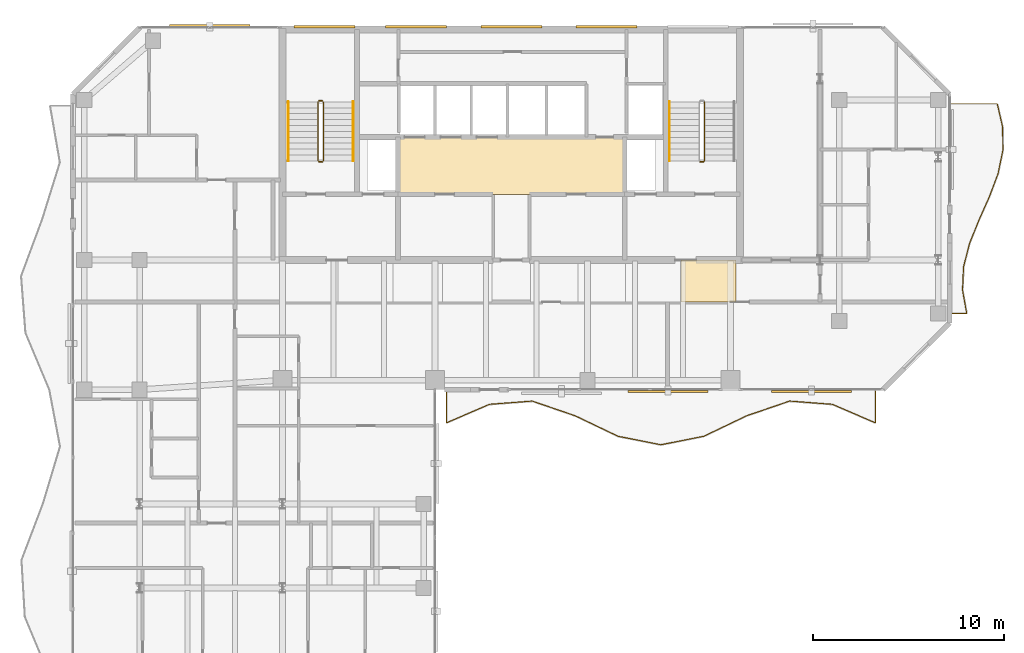
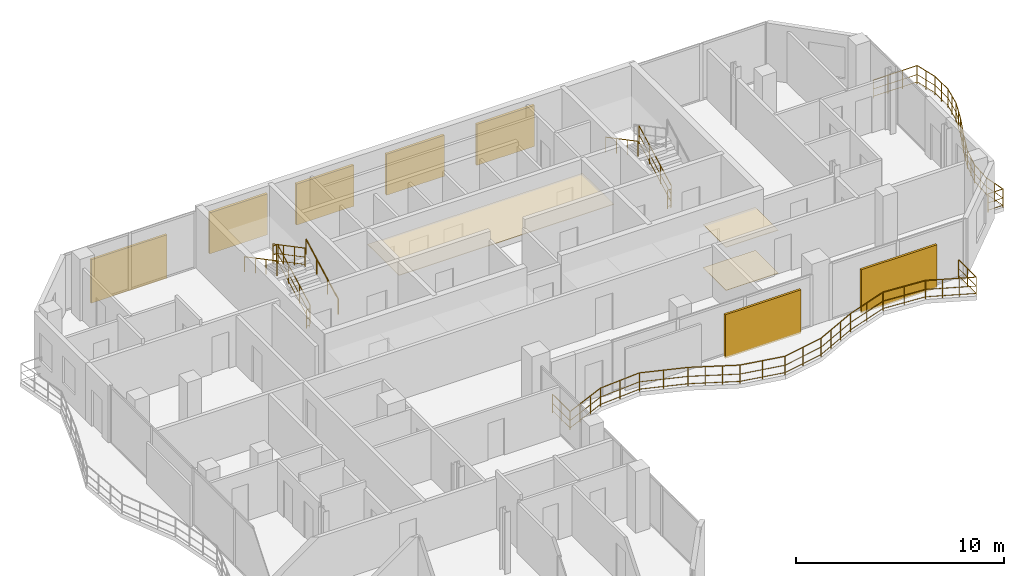
# One storey, part 22 of 23: 11 railings, 7 shading devices, 3 coverings.
"""IFC4 building model written with IfcOpenShell, lengths in metres."""

from ifc_helpers import new_model, si_unit, direction, frame, origin, origin_2d, place, context, subcontext, project, spatial, polyline, rectangle, circle, outline, extrude, material, layer, layer_set, type_object, element, save


model = new_model("IFC4")

# Units and contexts
model_context = context("Model", 3, precision=1e-05, world=origin(), true_north=direction((0.0, 1.0)))
body_context = subcontext(model_context, "Body", "Model", "MODEL_VIEW")
ifc_project = project(units=[si_unit("LENGTHUNIT", "METRE"), si_unit("AREAUNIT", "SQUARE_METRE"), si_unit("VOLUMEUNIT", "CUBIC_METRE"), si_unit("PLANEANGLEUNIT", "RADIAN"), si_unit("MASSUNIT", "GRAM", prefix="KILO")], contexts=[model_context])

# Site, building, storey
site_placement = place(None, origin())
site = spatial("IfcSite", under=ifc_project, at=site_placement, CompositionType="ELEMENT")
building_placement = place(site_placement, origin())
building = spatial("IfcBuilding", under=site, at=building_placement, Name="Catumbela Crestline Tower", CompositionType="ELEMENT")
storey_placement = place(building_placement, frame((0.0, 0.0, 172.2)))
storey = spatial("IfcBuildingStorey", under=building, at=storey_placement, Name="L44", CompositionType="ELEMENT", Elevation=172.2)

# Coverings
ifc_material_1 = material(Name="Mineral-fibre acoustic ceiling")
ifc_layer_1 = layer(ifc_material_1, 0.03, Name="Mineral-fibre acoustic ceiling")
ifc_layer_set_1 = layer_set([ifc_layer_1], Name="Mineral-fibre acoustic ceiling")
covering_type_1 = type_object("IfcCoveringType", Name="CC-AC", PredefinedType="CEILING", material=ifc_layer_set_1)
covering_1_placement = place(storey_placement, frame((0.0, 0.0, 2.65)))
element("IfcCovering", 1, at=covering_1_placement, inside=storey, type_object=covering_type_1, Name="L44 Lift Lobby Acoustic Ceiling", PredefinedType="CEILING", context=body_context, shape_type="SweptSolid", body=[
    extrude(outline(polyline([(22.05, 34.25), (33.95, 34.25), (33.95, 37.25), (22.05, 37.25), (22.05, 34.25)])), origin(), (0.0, 0.0, 1.0), 0.03),
])
covering_2_placement = place(storey_placement, frame((0.0, 0.0, 2.52)))
element("IfcCovering", 2, at=covering_2_placement, inside=storey, type_object=covering_type_1, Name="L44 Corridor Acoustic Ceiling Bay 8", PredefinedType="CEILING", context=body_context, shape_type="SweptSolid", body=[
    extrude(outline(polyline([(36.9, 28.6), (39.8, 28.6), (39.8, 30.8), (36.9, 30.8), (36.9, 28.6)])), origin(), (0.0, 0.0, 1.0), 0.03),
])
ifc_material_2 = material(Name="Angolan grey-ochre granite", Category="masonry")
ifc_layer_2 = layer(ifc_material_2, 0.025, Name="Angolan grey-ochre granite")
ifc_layer_set_2 = layer_set([ifc_layer_2], Name="Angolan grey-ochre granite")
covering_type_2 = type_object("IfcCoveringType", Name="CF-GR", PredefinedType="FLOORING", material=ifc_layer_set_2)
covering_3_placement = place(storey_placement, origin())
element("IfcCovering", 3, at=covering_3_placement, inside=storey, type_object=covering_type_2, Name="L44 Corridor Granite Flooring Bay 8", PredefinedType="FLOORING", context=body_context, shape_type="SweptSolid", body=[
    extrude(outline(polyline([(36.9, 28.6), (39.8, 28.6), (39.8, 30.8), (36.9, 30.8), (36.9, 28.6)])), origin(), (0.0, 0.0, 1.0), 0.025),
])

# Railings
ifc_material_3 = material(Name="Stainless steel EN 1.4401", Category="steel")
railing_type_1 = type_object("IfcRailingType", Name="RB-1100", PredefinedType="BALUSTRADE", material=ifc_material_3)
railing_1_placement = place(storey_placement, frame((24.6, 23.94, 0.0)))
element("IfcRailing", 4, at=railing_1_placement, inside=storey, type_object=railing_type_1, Name="L44 Private Wave Balcony Balustrade 1", PredefinedType="BALUSTRADE", context=body_context, shape_type="SweptSolid", body=[
    extrude(circle(Radius=0.024, at=origin_2d()), frame((0.0, 0.0, 1.076), z_axis=(0.0, -1.0, 0.0), x_axis=(1.0, 0.0, 0.0)), (0.0, 0.0, 1.0), 1.68),
    extrude(circle(Radius=0.0156, at=origin_2d()), frame((0.0, 0.0, 0.55), z_axis=(0.0, -1.0, 0.0), x_axis=(1.0, 0.0, 0.0)), (0.0, 0.0, 1.0), 1.68),
    extrude(circle(Radius=0.0156, at=origin_2d()), frame((0.0, 0.0, 0.12), z_axis=(0.0, -1.0, 0.0), x_axis=(1.0, 0.0, 0.0)), (0.0, 0.0, 1.0), 1.68),
    extrude(circle(Radius=0.024, at=origin_2d()), frame((0.0, -1.68, 1.076), z_axis=(0.918179780553, 0.396163969316, 0.0), x_axis=(-0.396163969316, 0.918179780553, 0.0)), (0.0, 0.0, 1.0), 2.4505),
    extrude(circle(Radius=0.0156, at=origin_2d()), frame((0.0, -1.68, 0.55), z_axis=(0.918179780553, 0.396163969316, 0.0), x_axis=(-0.396163969316, 0.918179780553, 0.0)), (0.0, 0.0, 1.0), 2.4505),
    extrude(circle(Radius=0.0156, at=origin_2d()), frame((0.0, -1.68, 0.12), z_axis=(0.918179780553, 0.396163969316, 0.0), x_axis=(-0.396163969316, 0.918179780553, 0.0)), (0.0, 0.0, 1.0), 2.4505),
    extrude(circle(Radius=0.024, at=origin_2d()), frame((2.25, -0.7092, 1.076), z_axis=(0.997141170455, 0.075561142028, 0.0), x_axis=(-0.075561142028, 0.997141170455, 0.0)), (0.0, 0.0, 1.0), 2.2565),
    extrude(circle(Radius=0.0156, at=origin_2d()), frame((2.25, -0.7092, 0.55), z_axis=(0.997141170455, 0.075561142028, 0.0), x_axis=(-0.075561142028, 0.997141170455, 0.0)), (0.0, 0.0, 1.0), 2.2565),
    extrude(circle(Radius=0.0156, at=origin_2d()), frame((2.25, -0.7092, 0.12), z_axis=(0.997141170455, 0.075561142028, 0.0), x_axis=(-0.075561142028, 0.997141170455, 0.0)), (0.0, 0.0, 1.0), 2.2565),
    extrude(circle(Radius=0.024, at=origin_2d()), frame((4.5, -0.5387, 1.076), z_axis=(0.946065665735, -0.323974931311, 0.0), x_axis=(0.323974931311, 0.946065665735, 0.0)), (0.0, 0.0, 1.0), 2.3783),
    extrude(circle(Radius=0.0156, at=origin_2d()), frame((4.5, -0.5387, 0.55), z_axis=(0.946065665735, -0.323974931311, 0.0), x_axis=(0.323974931311, 0.946065665735, 0.0)), (0.0, 0.0, 1.0), 2.3783),
    extrude(circle(Radius=0.0156, at=origin_2d()), frame((4.5, -0.5387, 0.12), z_axis=(0.946065665735, -0.323974931311, 0.0), x_axis=(0.323974931311, 0.946065665735, 0.0)), (0.0, 0.0, 1.0), 2.3783),
    extrude(circle(Radius=0.024, at=origin_2d()), frame((6.75, -1.3092, 1.076), z_axis=(0.902132186045, -0.431459753513, 0.0), x_axis=(0.431459753513, 0.902132186045, 0.0)), (0.0, 0.0, 1.0), 2.4941),
    extrude(circle(Radius=0.0156, at=origin_2d()), frame((6.75, -1.3092, 0.55), z_axis=(0.902132186045, -0.431459753513, 0.0), x_axis=(0.431459753513, 0.902132186045, 0.0)), (0.0, 0.0, 1.0), 2.4941),
    extrude(circle(Radius=0.0156, at=origin_2d()), frame((6.75, -1.3092, 0.12), z_axis=(0.902132186045, -0.431459753513, 0.0), x_axis=(0.431459753513, 0.902132186045, 0.0)), (0.0, 0.0, 1.0), 2.4941),
    extrude(circle(Radius=0.024, at=origin_2d()), frame((9.0, -2.3853, 1.076), z_axis=(0.981022553047, -0.193893657484, 0.0), x_axis=(0.193893657484, 0.981022553047, 0.0)), (0.0, 0.0, 1.0), 2.2935),
    extrude(circle(Radius=0.0156, at=origin_2d()), frame((9.0, -2.3853, 0.55), z_axis=(0.981022553047, -0.193893657484, 0.0), x_axis=(0.193893657484, 0.981022553047, 0.0)), (0.0, 0.0, 1.0), 2.2935),
    extrude(circle(Radius=0.0156, at=origin_2d()), frame((9.0, -2.3853, 0.12), z_axis=(0.981022553047, -0.193893657484, 0.0), x_axis=(0.193893657484, 0.981022553047, 0.0)), (0.0, 0.0, 1.0), 2.2935),
    extrude(circle(Radius=0.024, at=origin_2d()), frame((11.25, -2.83, 1.076), z_axis=(0.981022553047, 0.193893657484, 0.0), x_axis=(-0.193893657484, 0.981022553047, 0.0)), (0.0, 0.0, 1.0), 2.2935),
    extrude(circle(Radius=0.0156, at=origin_2d()), frame((11.25, -2.83, 0.55), z_axis=(0.981022553047, 0.193893657484, 0.0), x_axis=(-0.193893657484, 0.981022553047, 0.0)), (0.0, 0.0, 1.0), 2.2935),
    extrude(circle(Radius=0.0156, at=origin_2d()), frame((11.25, -2.83, 0.12), z_axis=(0.981022553047, 0.193893657484, 0.0), x_axis=(-0.193893657484, 0.981022553047, 0.0)), (0.0, 0.0, 1.0), 2.2935),
    extrude(circle(Radius=0.024, at=origin_2d()), frame((13.5, -2.3853, 1.076), z_axis=(0.902132186045, 0.431459753513, 0.0), x_axis=(-0.431459753513, 0.902132186045, 0.0)), (0.0, 0.0, 1.0), 2.4941),
    extrude(circle(Radius=0.0156, at=origin_2d()), frame((13.5, -2.3853, 0.55), z_axis=(0.902132186045, 0.431459753513, 0.0), x_axis=(-0.431459753513, 0.902132186045, 0.0)), (0.0, 0.0, 1.0), 2.4941),
    extrude(circle(Radius=0.0156, at=origin_2d()), frame((13.5, -2.3853, 0.12), z_axis=(0.902132186045, 0.431459753513, 0.0), x_axis=(-0.431459753513, 0.902132186045, 0.0)), (0.0, 0.0, 1.0), 2.4941),
    extrude(circle(Radius=0.024, at=origin_2d()), frame((15.75, -1.3092, 1.076), z_axis=(0.946065665735, 0.323974931311, 0.0), x_axis=(-0.323974931311, 0.946065665735, 0.0)), (0.0, 0.0, 1.0), 2.3783),
    extrude(circle(Radius=0.0156, at=origin_2d()), frame((15.75, -1.3092, 0.55), z_axis=(0.946065665735, 0.323974931311, 0.0), x_axis=(-0.323974931311, 0.946065665735, 0.0)), (0.0, 0.0, 1.0), 2.3783),
    extrude(circle(Radius=0.0156, at=origin_2d()), frame((15.75, -1.3092, 0.12), z_axis=(0.946065665735, 0.323974931311, 0.0), x_axis=(-0.323974931311, 0.946065665735, 0.0)), (0.0, 0.0, 1.0), 2.3783),
    extrude(circle(Radius=0.024, at=origin_2d()), frame((18.0, -0.5387, 1.076), z_axis=(0.997141170455, -0.075561142028, 0.0), x_axis=(0.075561142028, 0.997141170455, 0.0)), (0.0, 0.0, 1.0), 2.2565),
    extrude(circle(Radius=0.0156, at=origin_2d()), frame((18.0, -0.5387, 0.55), z_axis=(0.997141170455, -0.075561142028, 0.0), x_axis=(0.075561142028, 0.997141170455, 0.0)), (0.0, 0.0, 1.0), 2.2565),
    extrude(circle(Radius=0.0156, at=origin_2d()), frame((18.0, -0.5387, 0.12), z_axis=(0.997141170455, -0.075561142028, 0.0), x_axis=(0.075561142028, 0.997141170455, 0.0)), (0.0, 0.0, 1.0), 2.2565),
    extrude(circle(Radius=0.024, at=origin_2d()), frame((20.25, -0.7092, 1.076), z_axis=(0.918179780553, -0.396163969316, 0.0), x_axis=(0.396163969316, 0.918179780553, 0.0)), (0.0, 0.0, 1.0), 2.4505),
    extrude(circle(Radius=0.0156, at=origin_2d()), frame((20.25, -0.7092, 0.55), z_axis=(0.918179780553, -0.396163969316, 0.0), x_axis=(0.396163969316, 0.918179780553, 0.0)), (0.0, 0.0, 1.0), 2.4505),
    extrude(circle(Radius=0.0156, at=origin_2d()), frame((20.25, -0.7092, 0.12), z_axis=(0.918179780553, -0.396163969316, 0.0), x_axis=(0.396163969316, 0.918179780553, 0.0)), (0.0, 0.0, 1.0), 2.4505),
    extrude(circle(Radius=0.024, at=origin_2d()), frame((22.5, -1.68, 1.076), z_axis=(0.0, 1.0, 0.0), x_axis=(-1.0, 0.0, 0.0)), (0.0, 0.0, 1.0), 1.68),
    extrude(circle(Radius=0.0156, at=origin_2d()), frame((22.5, -1.68, 0.55), z_axis=(0.0, 1.0, 0.0), x_axis=(-1.0, 0.0, 0.0)), (0.0, 0.0, 1.0), 1.68),
    extrude(circle(Radius=0.0156, at=origin_2d()), frame((22.5, -1.68, 0.12), z_axis=(0.0, 1.0, 0.0), x_axis=(-1.0, 0.0, 0.0)), (0.0, 0.0, 1.0), 1.68),
    extrude(circle(Radius=0.021, at=origin_2d()), origin(), (0.0, 0.0, 1.0), 1.052),
    extrude(circle(Radius=0.021, at=origin_2d()), frame((0.0, -0.84, 0.0)), (0.0, 0.0, 1.0), 1.052),
    extrude(circle(Radius=0.021, at=origin_2d()), frame((0.0, -1.68, 0.0)), (0.0, 0.0, 1.0), 1.052),
    extrude(circle(Radius=0.021, at=origin_2d()), frame((0.75, -1.3564, 0.0)), (0.0, 0.0, 1.0), 1.052),
    extrude(circle(Radius=0.021, at=origin_2d()), frame((1.5, -1.0328, 0.0)), (0.0, 0.0, 1.0), 1.052),
    extrude(circle(Radius=0.021, at=origin_2d()), frame((2.25, -0.7092, 0.0)), (0.0, 0.0, 1.0), 1.052),
    extrude(circle(Radius=0.021, at=origin_2d()), frame((3.375, -0.624, 0.0)), (0.0, 0.0, 1.0), 1.052),
    extrude(circle(Radius=0.021, at=origin_2d()), frame((4.5, -0.5387, 0.0)), (0.0, 0.0, 1.0), 1.052),
    extrude(circle(Radius=0.021, at=origin_2d()), frame((5.625, -0.924, 0.0)), (0.0, 0.0, 1.0), 1.052),
    extrude(circle(Radius=0.021, at=origin_2d()), frame((6.75, -1.3092, 0.0)), (0.0, 0.0, 1.0), 1.052),
    extrude(circle(Radius=0.021, at=origin_2d()), frame((7.5, -1.6679, 0.0)), (0.0, 0.0, 1.0), 1.052),
    extrude(circle(Radius=0.021, at=origin_2d()), frame((8.25, -2.0266, 0.0)), (0.0, 0.0, 1.0), 1.052),
    extrude(circle(Radius=0.021, at=origin_2d()), frame((9.0, -2.3853, 0.0)), (0.0, 0.0, 1.0), 1.052),
    extrude(circle(Radius=0.021, at=origin_2d()), frame((10.125, -2.6077, 0.0)), (0.0, 0.0, 1.0), 1.052),
    extrude(circle(Radius=0.021, at=origin_2d()), frame((11.25, -2.83, 0.0)), (0.0, 0.0, 1.0), 1.052),
    extrude(circle(Radius=0.021, at=origin_2d()), frame((12.375, -2.6077, 0.0)), (0.0, 0.0, 1.0), 1.052),
    extrude(circle(Radius=0.021, at=origin_2d()), frame((13.5, -2.3853, 0.0)), (0.0, 0.0, 1.0), 1.052),
    extrude(circle(Radius=0.021, at=origin_2d()), frame((14.25, -2.0266, 0.0)), (0.0, 0.0, 1.0), 1.052),
    extrude(circle(Radius=0.021, at=origin_2d()), frame((15.0, -1.6679, 0.0)), (0.0, 0.0, 1.0), 1.052),
    extrude(circle(Radius=0.021, at=origin_2d()), frame((15.75, -1.3092, 0.0)), (0.0, 0.0, 1.0), 1.052),
    extrude(circle(Radius=0.021, at=origin_2d()), frame((16.875, -0.924, 0.0)), (0.0, 0.0, 1.0), 1.052),
    extrude(circle(Radius=0.021, at=origin_2d()), frame((18.0, -0.5387, 0.0)), (0.0, 0.0, 1.0), 1.052),
    extrude(circle(Radius=0.021, at=origin_2d()), frame((19.125, -0.624, 0.0)), (0.0, 0.0, 1.0), 1.052),
    extrude(circle(Radius=0.021, at=origin_2d()), frame((20.25, -0.7092, 0.0)), (0.0, 0.0, 1.0), 1.052),
    extrude(circle(Radius=0.021, at=origin_2d()), frame((21.0, -1.0328, 0.0)), (0.0, 0.0, 1.0), 1.052),
    extrude(circle(Radius=0.021, at=origin_2d()), frame((21.75, -1.3564, 0.0)), (0.0, 0.0, 1.0), 1.052),
    extrude(circle(Radius=0.021, at=origin_2d()), frame((22.5, -1.68, 0.0)), (0.0, 0.0, 1.0), 1.052),
    extrude(circle(Radius=0.021, at=origin_2d()), frame((22.5, -0.84, 0.0)), (0.0, 0.0, 1.0), 1.052),
    extrude(circle(Radius=0.021, at=origin_2d()), frame((22.5, 0.0, 0.0)), (0.0, 0.0, 1.0), 1.052),
])
railing_2_placement = place(storey_placement, frame((51.06, 28.0, 0.0)))
element("IfcRailing", 5, at=railing_2_placement, inside=storey, type_object=railing_type_1, Name="L44 Private Wave Balcony Balustrade 2", PredefinedType="BALUSTRADE", context=body_context, shape_type="SweptSolid", body=[
    extrude(circle(Radius=0.024, at=origin_2d()), frame((0.0, 0.0, 1.076), z_axis=(1.0, 0.0, 0.0), x_axis=(0.0, 1.0, 0.0)), (0.0, 0.0, 1.0), 0.834),
    extrude(circle(Radius=0.0156, at=origin_2d()), frame((0.0, 0.0, 0.55), z_axis=(1.0, 0.0, 0.0), x_axis=(0.0, 1.0, 0.0)), (0.0, 0.0, 1.0), 0.834),
    extrude(circle(Radius=0.0156, at=origin_2d()), frame((0.0, 0.0, 0.12), z_axis=(1.0, 0.0, 0.0), x_axis=(0.0, 1.0, 0.0)), (0.0, 0.0, 1.0), 0.834),
    extrude(circle(Radius=0.024, at=origin_2d()), frame((0.834, 0.0, 1.076), z_axis=(-0.17746808462, 0.984126556364, 0.0), x_axis=(-0.984126556364, -0.17746808462, 0.0)), (0.0, 0.0, 1.0), 1.2419),
    extrude(circle(Radius=0.0156, at=origin_2d()), frame((0.834, 0.0, 0.55), z_axis=(-0.17746808462, 0.984126556364, 0.0), x_axis=(-0.984126556364, -0.17746808462, 0.0)), (0.0, 0.0, 1.0), 1.2419),
    extrude(circle(Radius=0.0156, at=origin_2d()), frame((0.834, 0.0, 0.12), z_axis=(-0.17746808462, 0.984126556364, 0.0), x_axis=(-0.984126556364, -0.17746808462, 0.0)), (0.0, 0.0, 1.0), 1.2419),
    extrude(circle(Radius=0.024, at=origin_2d()), frame((0.6136, 1.2222, 1.076), z_axis=(0.0433237094, 0.999061087323, 0.0), x_axis=(-0.999061087323, 0.0433237094, 0.0)), (0.0, 0.0, 1.0), 1.2233),
    extrude(circle(Radius=0.0156, at=origin_2d()), frame((0.6136, 1.2222, 0.55), z_axis=(0.0433237094, 0.999061087323, 0.0), x_axis=(-0.999061087323, 0.0433237094, 0.0)), (0.0, 0.0, 1.0), 1.2233),
    extrude(circle(Radius=0.0156, at=origin_2d()), frame((0.6136, 1.2222, 0.12), z_axis=(0.0433237094, 0.999061087323, 0.0), x_axis=(-0.999061087323, 0.0433237094, 0.0)), (0.0, 0.0, 1.0), 1.2233),
    extrude(circle(Radius=0.024, at=origin_2d()), frame((0.6666, 2.4444, 1.076), z_axis=(0.24799586462, 0.968761090843, 0.0), x_axis=(-0.968761090843, 0.24799586462, 0.0)), (0.0, 0.0, 1.0), 1.2617),
    extrude(circle(Radius=0.0156, at=origin_2d()), frame((0.6666, 2.4444, 0.55), z_axis=(0.24799586462, 0.968761090843, 0.0), x_axis=(-0.968761090843, 0.24799586462, 0.0)), (0.0, 0.0, 1.0), 1.2617),
    extrude(circle(Radius=0.0156, at=origin_2d()), frame((0.6666, 2.4444, 0.12), z_axis=(0.24799586462, 0.968761090843, 0.0), x_axis=(-0.968761090843, 0.24799586462, 0.0)), (0.0, 0.0, 1.0), 1.2617),
    extrude(circle(Radius=0.024, at=origin_2d()), frame((0.9795, 3.6667, 1.076), z_axis=(0.373823042127, 0.927500044838, 0.0), x_axis=(-0.927500044838, 0.373823042127, 0.0)), (0.0, 0.0, 1.0), 1.3177),
    extrude(circle(Radius=0.0156, at=origin_2d()), frame((0.9795, 3.6667, 0.55), z_axis=(0.373823042127, 0.927500044838, 0.0), x_axis=(-0.927500044838, 0.373823042127, 0.0)), (0.0, 0.0, 1.0), 1.3177),
    extrude(circle(Radius=0.0156, at=origin_2d()), frame((0.9795, 3.6667, 0.12), z_axis=(0.373823042127, 0.927500044838, 0.0), x_axis=(-0.927500044838, 0.373823042127, 0.0)), (0.0, 0.0, 1.0), 1.3177),
    extrude(circle(Radius=0.024, at=origin_2d()), frame((1.4721, 4.8889, 1.076), z_axis=(0.407759851325, 0.91308920903, 0.0), x_axis=(-0.91308920903, 0.407759851325, 0.0)), (0.0, 0.0, 1.0), 1.3385),
    extrude(circle(Radius=0.0156, at=origin_2d()), frame((1.4721, 4.8889, 0.55), z_axis=(0.407759851325, 0.91308920903, 0.0), x_axis=(-0.91308920903, 0.407759851325, 0.0)), (0.0, 0.0, 1.0), 1.3385),
    extrude(circle(Radius=0.0156, at=origin_2d()), frame((1.4721, 4.8889, 0.12), z_axis=(0.407759851325, 0.91308920903, 0.0), x_axis=(-0.91308920903, 0.407759851325, 0.0)), (0.0, 0.0, 1.0), 1.3385),
    extrude(circle(Radius=0.024, at=origin_2d()), frame((2.0179, 6.1111, 1.076), z_axis=(0.351710928302, 0.936108659779, 0.0), x_axis=(-0.936108659779, 0.351710928302, 0.0)), (0.0, 0.0, 1.0), 1.3056),
    extrude(circle(Radius=0.0156, at=origin_2d()), frame((2.0179, 6.1111, 0.55), z_axis=(0.351710928302, 0.936108659779, 0.0), x_axis=(-0.936108659779, 0.351710928302, 0.0)), (0.0, 0.0, 1.0), 1.3056),
    extrude(circle(Radius=0.0156, at=origin_2d()), frame((2.0179, 6.1111, 0.12), z_axis=(0.351710928302, 0.936108659779, 0.0), x_axis=(-0.936108659779, 0.351710928302, 0.0)), (0.0, 0.0, 1.0), 1.3056),
    extrude(circle(Radius=0.024, at=origin_2d()), frame((2.4771, 7.3333, 1.076), z_axis=(0.20261355169, 0.979258775131, 0.0), x_axis=(-0.979258775131, 0.20261355169, 0.0)), (0.0, 0.0, 1.0), 1.2482),
    extrude(circle(Radius=0.0156, at=origin_2d()), frame((2.4771, 7.3333, 0.55), z_axis=(0.20261355169, 0.979258775131, 0.0), x_axis=(-0.979258775131, 0.20261355169, 0.0)), (0.0, 0.0, 1.0), 1.2482),
    extrude(circle(Radius=0.0156, at=origin_2d()), frame((2.4771, 7.3333, 0.12), z_axis=(0.20261355169, 0.979258775131, 0.0), x_axis=(-0.979258775131, 0.20261355169, 0.0)), (0.0, 0.0, 1.0), 1.2482),
    extrude(circle(Radius=0.024, at=origin_2d()), frame((2.73, 8.5556, 1.076), z_axis=(-0.010717761068, 0.999942563149, 0.0), x_axis=(-0.999942563149, -0.010717761068, 0.0)), (0.0, 0.0, 1.0), 1.2223),
    extrude(circle(Radius=0.0156, at=origin_2d()), frame((2.73, 8.5556, 0.55), z_axis=(-0.010717761068, 0.999942563149, 0.0), x_axis=(-0.999942563149, -0.010717761068, 0.0)), (0.0, 0.0, 1.0), 1.2223),
    extrude(circle(Radius=0.0156, at=origin_2d()), frame((2.73, 8.5556, 0.12), z_axis=(-0.010717761068, 0.999942563149, 0.0), x_axis=(-0.999942563149, -0.010717761068, 0.0)), (0.0, 0.0, 1.0), 1.2223),
    extrude(circle(Radius=0.024, at=origin_2d()), frame((2.7169, 9.7778, 1.076), z_axis=(-0.223915935273, 0.974608461861, 0.0), x_axis=(-0.974608461861, -0.223915935273, 0.0)), (0.0, 0.0, 1.0), 1.254),
    extrude(circle(Radius=0.0156, at=origin_2d()), frame((2.7169, 9.7778, 0.55), z_axis=(-0.223915935273, 0.974608461861, 0.0), x_axis=(-0.974608461861, -0.223915935273, 0.0)), (0.0, 0.0, 1.0), 1.254),
    extrude(circle(Radius=0.0156, at=origin_2d()), frame((2.7169, 9.7778, 0.12), z_axis=(-0.223915935273, 0.974608461861, 0.0), x_axis=(-0.974608461861, -0.223915935273, 0.0)), (0.0, 0.0, 1.0), 1.254),
    extrude(circle(Radius=0.024, at=origin_2d()), frame((2.4361, 11.0, 1.076), z_axis=(-1.0, 0.0, 0.0), x_axis=(0.0, -1.0, 0.0)), (0.0, 0.0, 1.0), 2.4361),
    extrude(circle(Radius=0.0156, at=origin_2d()), frame((2.4361, 11.0, 0.55), z_axis=(-1.0, 0.0, 0.0), x_axis=(0.0, -1.0, 0.0)), (0.0, 0.0, 1.0), 2.4361),
    extrude(circle(Radius=0.0156, at=origin_2d()), frame((2.4361, 11.0, 0.12), z_axis=(-1.0, 0.0, 0.0), x_axis=(0.0, -1.0, 0.0)), (0.0, 0.0, 1.0), 2.4361),
    extrude(circle(Radius=0.021, at=origin_2d()), origin(), (0.0, 0.0, 1.0), 1.052),
    extrude(circle(Radius=0.021, at=origin_2d()), frame((0.834, 0.0, 0.0)), (0.0, 0.0, 1.0), 1.052),
    extrude(circle(Radius=0.021, at=origin_2d()), frame((0.7238, 0.6111, 0.0)), (0.0, 0.0, 1.0), 1.052),
    extrude(circle(Radius=0.021, at=origin_2d()), frame((0.6136, 1.2222, 0.0)), (0.0, 0.0, 1.0), 1.052),
    extrude(circle(Radius=0.021, at=origin_2d()), frame((0.6401, 1.8333, 0.0)), (0.0, 0.0, 1.0), 1.052),
    extrude(circle(Radius=0.021, at=origin_2d()), frame((0.6666, 2.4444, 0.0)), (0.0, 0.0, 1.0), 1.052),
    extrude(circle(Radius=0.021, at=origin_2d()), frame((0.823, 3.0556, 0.0)), (0.0, 0.0, 1.0), 1.052),
    extrude(circle(Radius=0.021, at=origin_2d()), frame((0.9795, 3.6667, 0.0)), (0.0, 0.0, 1.0), 1.052),
    extrude(circle(Radius=0.021, at=origin_2d()), frame((1.2258, 4.2778, 0.0)), (0.0, 0.0, 1.0), 1.052),
    extrude(circle(Radius=0.021, at=origin_2d()), frame((1.4721, 4.8889, 0.0)), (0.0, 0.0, 1.0), 1.052),
    extrude(circle(Radius=0.021, at=origin_2d()), frame((1.745, 5.5, 0.0)), (0.0, 0.0, 1.0), 1.052),
    extrude(circle(Radius=0.021, at=origin_2d()), frame((2.0179, 6.1111, 0.0)), (0.0, 0.0, 1.0), 1.052),
    extrude(circle(Radius=0.021, at=origin_2d()), frame((2.2475, 6.7222, 0.0)), (0.0, 0.0, 1.0), 1.052),
    extrude(circle(Radius=0.021, at=origin_2d()), frame((2.4771, 7.3333, 0.0)), (0.0, 0.0, 1.0), 1.052),
    extrude(circle(Radius=0.021, at=origin_2d()), frame((2.6035, 7.9444, 0.0)), (0.0, 0.0, 1.0), 1.052),
    extrude(circle(Radius=0.021, at=origin_2d()), frame((2.73, 8.5556, 0.0)), (0.0, 0.0, 1.0), 1.052),
    extrude(circle(Radius=0.021, at=origin_2d()), frame((2.7234, 9.1667, 0.0)), (0.0, 0.0, 1.0), 1.052),
    extrude(circle(Radius=0.021, at=origin_2d()), frame((2.7169, 9.7778, 0.0)), (0.0, 0.0, 1.0), 1.052),
    extrude(circle(Radius=0.021, at=origin_2d()), frame((2.5765, 10.3889, 0.0)), (0.0, 0.0, 1.0), 1.052),
    extrude(circle(Radius=0.021, at=origin_2d()), frame((2.4361, 11.0, 0.0)), (0.0, 0.0, 1.0), 1.052),
    extrude(circle(Radius=0.021, at=origin_2d()), frame((1.6241, 11.0, 0.0)), (0.0, 0.0, 1.0), 1.052),
    extrude(circle(Radius=0.021, at=origin_2d()), frame((0.812, 11.0, 0.0)), (0.0, 0.0, 1.0), 1.052),
    extrude(circle(Radius=0.021, at=origin_2d()), frame((0.0, 11.0, 0.0)), (0.0, 0.0, 1.0), 1.052),
])
railing_type_2 = type_object("IfcRailingType", Name="RG-1100", PredefinedType="GUARDRAIL", material=ifc_material_3)
railing_3_placement = place(storey_placement, frame((18.14, 36.0, 0.1636)))
element("IfcRailing", 6, at=railing_3_placement, inside=storey, type_object=railing_type_2, Name="L44 ST-01 stair guard 1", PredefinedType="GUARDRAIL", context=body_context, shape_type="SweptSolid", body=[
    extrude(circle(Radius=0.024, at=origin_2d()), frame((0.0, 0.0, 1.076), z_axis=(0.0, 0.884350731049, 0.466823076222), x_axis=(-1.0, 0.0, 0.0)), (0.0, 0.0, 1.0), 3.5054),
    extrude(circle(Radius=0.0156, at=origin_2d()), frame((0.0, 0.0, 0.55), z_axis=(0.0, 0.884350731049, 0.466823076222), x_axis=(-1.0, 0.0, 0.0)), (0.0, 0.0, 1.0), 3.5054),
    extrude(circle(Radius=0.0156, at=origin_2d()), frame((0.0, 0.0, 0.12), z_axis=(0.0, 0.884350731049, 0.466823076222), x_axis=(-1.0, 0.0, 0.0)), (0.0, 0.0, 1.0), 3.5054),
    extrude(circle(Radius=0.021, at=origin_2d()), origin(), (0.0, 0.0, 1.0), 1.052),
    extrude(circle(Radius=0.021, at=origin_2d()), frame((0.0, 1.0333, 0.5455)), (0.0, 0.0, 1.0), 1.052),
    extrude(circle(Radius=0.021, at=origin_2d()), frame((0.0, 2.0667, 1.0909)), (0.0, 0.0, 1.0), 1.052),
    extrude(circle(Radius=0.021, at=origin_2d()), frame((0.0, 3.1, 1.6364)), (0.0, 0.0, 1.0), 1.052),
])
railing_4_placement = place(storey_placement, frame((18.09, 39.15, 1.8)))
element("IfcRailing", 7, at=railing_4_placement, inside=storey, type_object=railing_type_2, Name="L44 ST-01 stair guard 2", PredefinedType="GUARDRAIL", context=body_context, shape_type="SweptSolid", body=[
    extrude(circle(Radius=0.024, at=origin_2d()), frame((0.0, 0.0, 1.076), z_axis=(-1.0, 0.0, 0.0), x_axis=(0.0, -1.0, 0.0)), (0.0, 0.0, 1.0), 0.18),
    extrude(circle(Radius=0.0156, at=origin_2d()), frame((0.0, 0.0, 0.55), z_axis=(-1.0, 0.0, 0.0), x_axis=(0.0, -1.0, 0.0)), (0.0, 0.0, 1.0), 0.18),
    extrude(circle(Radius=0.0156, at=origin_2d()), frame((0.0, 0.0, 0.12), z_axis=(-1.0, 0.0, 0.0), x_axis=(0.0, -1.0, 0.0)), (0.0, 0.0, 1.0), 0.18),
    extrude(circle(Radius=0.021, at=origin_2d()), origin(), (0.0, 0.0, 1.0), 1.052),
    extrude(circle(Radius=0.021, at=origin_2d()), frame((-0.18, 0.0, 0.0)), (0.0, 0.0, 1.0), 1.052),
])
railing_5_placement = place(storey_placement, frame((17.86, 39.1, 1.9636)))
element("IfcRailing", 8, at=railing_5_placement, inside=storey, type_object=railing_type_2, Name="L44 ST-01 stair guard 3", PredefinedType="GUARDRAIL", context=body_context, shape_type="SweptSolid", body=[
    extrude(circle(Radius=0.024, at=origin_2d()), frame((0.0, 0.0, 1.076), z_axis=(0.0, -0.884350731049, 0.466823076222), x_axis=(1.0, 0.0, 0.0)), (0.0, 0.0, 1.0), 3.5054),
    extrude(circle(Radius=0.0156, at=origin_2d()), frame((0.0, 0.0, 0.55), z_axis=(0.0, -0.884350731049, 0.466823076222), x_axis=(1.0, 0.0, 0.0)), (0.0, 0.0, 1.0), 3.5054),
    extrude(circle(Radius=0.0156, at=origin_2d()), frame((0.0, 0.0, 0.12), z_axis=(0.0, -0.884350731049, 0.466823076222), x_axis=(1.0, 0.0, 0.0)), (0.0, 0.0, 1.0), 3.5054),
    extrude(circle(Radius=0.021, at=origin_2d()), origin(), (0.0, 0.0, 1.0), 1.052),
    extrude(circle(Radius=0.021, at=origin_2d()), frame((0.0, -1.0333, 0.5455)), (0.0, 0.0, 1.0), 1.052),
    extrude(circle(Radius=0.021, at=origin_2d()), frame((0.0, -2.0667, 1.0909)), (0.0, 0.0, 1.0), 1.052),
    extrude(circle(Radius=0.021, at=origin_2d()), frame((0.0, -3.1, 1.6364)), (0.0, 0.0, 1.0), 1.052),
])
railing_6_placement = place(storey_placement, frame((18.09, 35.95, 0.0)))
element("IfcRailing", 9, at=railing_6_placement, inside=storey, type_object=railing_type_2, Name="L44 ST-01 stair guard 4", PredefinedType="GUARDRAIL", context=body_context, shape_type="SweptSolid", body=[
    extrude(circle(Radius=0.024, at=origin_2d()), frame((0.0, 0.0, 1.076), z_axis=(-1.0, 0.0, 0.0), x_axis=(0.0, -1.0, 0.0)), (0.0, 0.0, 1.0), 0.18),
    extrude(circle(Radius=0.0156, at=origin_2d()), frame((0.0, 0.0, 0.55), z_axis=(-1.0, 0.0, 0.0), x_axis=(0.0, -1.0, 0.0)), (0.0, 0.0, 1.0), 0.18),
    extrude(circle(Radius=0.0156, at=origin_2d()), frame((0.0, 0.0, 0.12), z_axis=(-1.0, 0.0, 0.0), x_axis=(0.0, -1.0, 0.0)), (0.0, 0.0, 1.0), 0.18),
    extrude(circle(Radius=0.021, at=origin_2d()), origin(), (0.0, 0.0, 1.0), 1.052),
    extrude(circle(Radius=0.021, at=origin_2d()), frame((-0.18, 0.0, 0.0)), (0.0, 0.0, 1.0), 1.052),
])
railing_7_placement = place(storey_placement, frame((38.14, 36.0, 0.1636)))
element("IfcRailing", 10, at=railing_7_placement, inside=storey, type_object=railing_type_2, Name="L44 ST-02 stair guard 1", PredefinedType="GUARDRAIL", context=body_context, shape_type="SweptSolid", body=[
    extrude(circle(Radius=0.024, at=origin_2d()), frame((0.0, 0.0, 1.076), z_axis=(0.0, 0.884350731049, 0.466823076222), x_axis=(-1.0, 0.0, 0.0)), (0.0, 0.0, 1.0), 3.5054),
    extrude(circle(Radius=0.0156, at=origin_2d()), frame((0.0, 0.0, 0.55), z_axis=(0.0, 0.884350731049, 0.466823076222), x_axis=(-1.0, 0.0, 0.0)), (0.0, 0.0, 1.0), 3.5054),
    extrude(circle(Radius=0.0156, at=origin_2d()), frame((0.0, 0.0, 0.12), z_axis=(0.0, 0.884350731049, 0.466823076222), x_axis=(-1.0, 0.0, 0.0)), (0.0, 0.0, 1.0), 3.5054),
    extrude(circle(Radius=0.021, at=origin_2d()), origin(), (0.0, 0.0, 1.0), 1.052),
    extrude(circle(Radius=0.021, at=origin_2d()), frame((0.0, 1.0333, 0.5455)), (0.0, 0.0, 1.0), 1.052),
    extrude(circle(Radius=0.021, at=origin_2d()), frame((0.0, 2.0667, 1.0909)), (0.0, 0.0, 1.0), 1.052),
    extrude(circle(Radius=0.021, at=origin_2d()), frame((0.0, 3.1, 1.6364)), (0.0, 0.0, 1.0), 1.052),
])
railing_8_placement = place(storey_placement, frame((38.09, 35.95, 0.0)))
element("IfcRailing", 11, at=railing_8_placement, inside=storey, type_object=railing_type_2, Name="L44 ST-02 stair guard 4", PredefinedType="GUARDRAIL", context=body_context, shape_type="SweptSolid", body=[
    extrude(circle(Radius=0.024, at=origin_2d()), frame((0.0, 0.0, 1.076), z_axis=(-1.0, 0.0, 0.0), x_axis=(0.0, -1.0, 0.0)), (0.0, 0.0, 1.0), 0.18),
    extrude(circle(Radius=0.0156, at=origin_2d()), frame((0.0, 0.0, 0.55), z_axis=(-1.0, 0.0, 0.0), x_axis=(0.0, -1.0, 0.0)), (0.0, 0.0, 1.0), 0.18),
    extrude(circle(Radius=0.0156, at=origin_2d()), frame((0.0, 0.0, 0.12), z_axis=(-1.0, 0.0, 0.0), x_axis=(0.0, -1.0, 0.0)), (0.0, 0.0, 1.0), 0.18),
    extrude(circle(Radius=0.021, at=origin_2d()), origin(), (0.0, 0.0, 1.0), 1.052),
    extrude(circle(Radius=0.021, at=origin_2d()), frame((-0.18, 0.0, 0.0)), (0.0, 0.0, 1.0), 1.052),
])
railing_type_3 = type_object("IfcRailingType", Name="RH-0900", PredefinedType="HANDRAIL", material=ifc_material_3)
railing_9_placement = place(storey_placement, frame((19.7, 36.0, 0.1636)))
element("IfcRailing", 12, at=railing_9_placement, inside=storey, type_object=railing_type_3, Name="L44 ST-01 stair handrail 1", PredefinedType="HANDRAIL", context=body_context, shape_type="SweptSolid", body=[
    extrude(circle(Radius=0.024, at=origin_2d()), frame((0.0, 0.0, 0.876), z_axis=(0.0, 0.884350731049, 0.466823076222), x_axis=(-1.0, 0.0, 0.0)), (0.0, 0.0, 1.0), 3.5054),
    extrude(circle(Radius=0.021, at=origin_2d()), origin(), (0.0, 0.0, 1.0), 0.852),
    extrude(circle(Radius=0.021, at=origin_2d()), frame((0.0, 1.0333, 0.5455)), (0.0, 0.0, 1.0), 0.852),
    extrude(circle(Radius=0.021, at=origin_2d()), frame((0.0, 2.0667, 1.0909)), (0.0, 0.0, 1.0), 0.852),
    extrude(circle(Radius=0.021, at=origin_2d()), frame((0.0, 3.1, 1.6364)), (0.0, 0.0, 1.0), 0.852),
])
for number, where, name in (
    (13, (16.3, 39.1, 1.9636), "L44 ST-01 stair handrail 2"),
    (14, (36.3, 39.1, 1.9636), "L44 ST-02 stair handrail 2"),
):
    element("IfcRailing", number, at=place(storey_placement, frame(where)), inside=storey, type_object=railing_type_3, Name=name, PredefinedType="HANDRAIL", context=body_context, shape_type="SweptSolid", body=[
        extrude(circle(Radius=0.024, at=origin_2d()), frame((0.0, 0.0, 0.876), z_axis=(0.0, -0.884350731049, 0.466823076222), x_axis=(1.0, 0.0, 0.0)), (0.0, 0.0, 1.0), 3.5054),
        extrude(circle(Radius=0.021, at=origin_2d()), origin(), (0.0, 0.0, 1.0), 0.852),
        extrude(circle(Radius=0.021, at=origin_2d()), frame((0.0, -1.0333, 0.5455)), (0.0, 0.0, 1.0), 0.852),
        extrude(circle(Radius=0.021, at=origin_2d()), frame((0.0, -2.0667, 1.0909)), (0.0, 0.0, 1.0), 0.852),
        extrude(circle(Radius=0.021, at=origin_2d()), frame((0.0, -3.1, 1.6364)), (0.0, 0.0, 1.0), 0.852),
    ])

# Shading devices
ifc_material_4 = material(Name="Extruded terracotta ceramic", Category="masonry")
shading_device_type_1 = type_object("IfcShadingDeviceType", Name="ST-180", PredefinedType="USERDEFINED", material=ifc_material_4)
shading_device_1_placement = place(storey_placement, frame((28.0, 43.04, 0.55), z_axis=(0.0, 0.0, 1.0), x_axis=(1.0, 0.0, 0.0)))
element("IfcShadingDevice", 15, at=shading_device_1_placement, inside=storey, type_object=shading_device_type_1, Name="L44 Rear Core Terracotta Brise-Soleil Screen 493", ObjectType="SCREEN", PredefinedType="USERDEFINED", context=body_context, shape_type="SweptSolid", body=[
    extrude(rectangle(XDim=3.2, YDim=0.14, at=origin_2d()), origin(), (0.0, 0.0, 1.0), 2.4),
])
for number, where, z_axis, x_axis, name in (
    (16, (36.2125, 23.901, -0.1), (0.0, 0.0, 1.0), (1.0, 0.0, 0.0), "L44 Perforated Terracotta Solar Screen 500 (180 mm)"),
    (17, (43.75, 23.901, -0.1), (0.0, 0.0, 1.0), (1.0, 0.0, 0.0), "L44 Perforated Terracotta Solar Screen 501 (180 mm)"),
    (18, (12.18, 43.099, -0.1), (0.0, 0.0, 1.0), (-1.0, 0.0, 0.0), "L44 Perforated Terracotta Solar Screen 504 (180 mm)"),
):
    element("IfcShadingDevice", number, at=place(storey_placement, frame(where, z_axis=z_axis, x_axis=x_axis)), inside=storey, type_object=shading_device_type_1, Name=name, ObjectType="SCREEN", PredefinedType="USERDEFINED", context=body_context, shape_type="SweptSolid", body=[
        extrude(rectangle(XDim=4.2, YDim=0.12, at=origin_2d()), origin(), (0.0, 0.0, 1.0), 2.55),
    ])
shading_device_type_2 = type_object("IfcShadingDeviceType", Name="ST-260", PredefinedType="USERDEFINED", material=ifc_material_4)
shading_device_2_placement = place(storey_placement, frame((23.0, 43.04, 0.55), z_axis=(0.0, 0.0, 1.0), x_axis=(1.0, 0.0, 0.0)))
element("IfcShadingDevice", 19, at=shading_device_2_placement, inside=storey, type_object=shading_device_type_2, Name="L44 Rear Core Terracotta Brise-Soleil Screen 492", ObjectType="SCREEN", PredefinedType="USERDEFINED", context=body_context, shape_type="SweptSolid", body=[
    extrude(rectangle(XDim=3.2, YDim=0.14, at=origin_2d()), origin(), (0.0, 0.0, 1.0), 2.4),
])
shading_device_type_3 = type_object("IfcShadingDeviceType", Name="ST-340", PredefinedType="USERDEFINED", material=ifc_material_4)
for number, where, z_axis, x_axis, name in (
    (20, (18.2, 43.04, 0.55), (0.0, 0.0, 1.0), (1.0, 0.0, 0.0), "L44 Rear Core Terracotta Brise-Soleil Screen 491"),
    (21, (33.0, 43.04, 0.55), (0.0, 0.0, 1.0), (1.0, 0.0, 0.0), "L44 Rear Core Terracotta Brise-Soleil Screen 494"),
):
    element("IfcShadingDevice", number, at=place(storey_placement, frame(where, z_axis=z_axis, x_axis=x_axis)), inside=storey, type_object=shading_device_type_3, Name=name, ObjectType="SCREEN", PredefinedType="USERDEFINED", context=body_context, shape_type="SweptSolid", body=[
        extrude(rectangle(XDim=3.2, YDim=0.14, at=origin_2d()), origin(), (0.0, 0.0, 1.0), 2.4),
    ])

save(model, "model.ifc")
